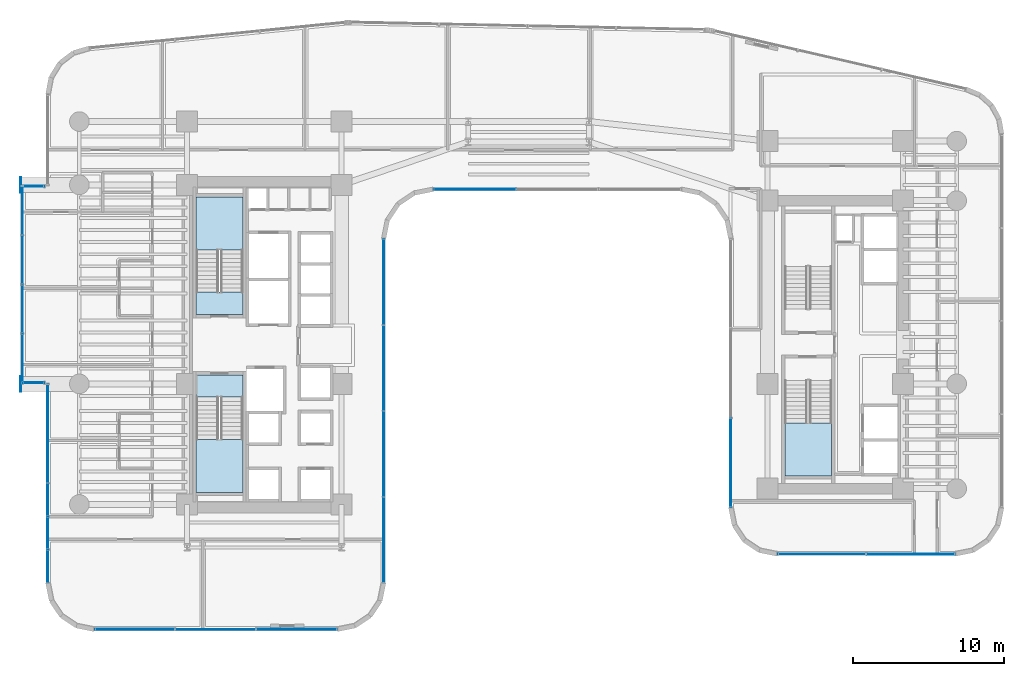
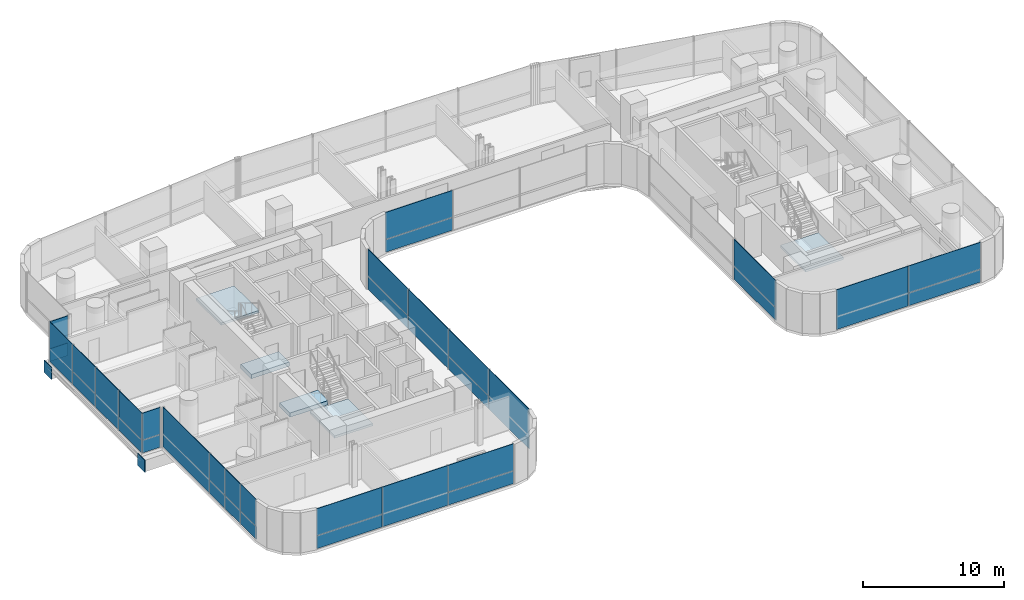
# One storey, part 27 of 39: 37 plates, 5 slabs, 12 elements without a shape of their own.
"""IFC4 building model written with IfcOpenShell, lengths in metres."""

import ifcopenshell
import ifcopenshell.guid

model = None  # the IFC model being written
_history = None  # IfcOwnerHistory: only IFC2X3 demands one
_inside = {}  # id of a spatial element -> (the spatial element, [elements in it])
_under = {}  # id of a project, library or spatial element -> (it, [spatial elements below it])
_declared = {}  # id of a project -> (the project, [libraries it declares])
_typed = {}  # id of a type object -> (the type object, [elements of that type])
_made_of = {}  # id of a material, layer set ... -> (it, [elements and type objects made of it])


def new_model(schema):
    """Start an empty IFC model of exactly this schema.

    Asked for "IFC4X3", IfcOpenShell would pick the latest addendum, in which some entities
    have other attributes; the version numbers below select the first issue.
    IFC2X3 requires an IfcOwnerHistory on every rooted entity: one is made here for all.
    """
    global model, _history
    if schema == "IFC4X3":
        model = ifcopenshell.file(schema_version=(4, 3, 0, 0))
    else:
        model = ifcopenshell.file(schema=schema)
    _inside.clear()
    _under.clear()
    _declared.clear()
    _typed.clear()
    _made_of.clear()
    _history = None
    if model.schema == "IFC2X3":
        org = make("IfcOrganization", Name="unknown")
        user = make(
            "IfcPersonAndOrganization",
            ThePerson=make("IfcPerson", FamilyName="unknown"),
            TheOrganization=org,
        )
        app = make(
            "IfcApplication",
            ApplicationDeveloper=org,
            Version="unknown",
            ApplicationFullName="unknown",
            ApplicationIdentifier="unknown",
        )
        _history = make(
            "IfcOwnerHistory",
            OwningUser=user,
            OwningApplication=app,
            ChangeAction="ADDED",
            CreationDate=0,
        )
    return model


def make(cls, **values):
    """One entity of the class cls with the attributes given. An attribute that is None is left unset."""
    return model.create_entity(
        cls, **{name: value for name, value in values.items() if value is not None}
    )


def rooted(cls, **values):
    """An entity with a GlobalId (a new one), such as an element, a storey or a relation."""
    return make(cls, GlobalId=ifcopenshell.guid.new(), OwnerHistory=_history, **values)


def si_unit(unit_type, name, prefix=None):
    """IfcSIUnit, for example si_unit("LENGTHUNIT", "METRE", prefix="MILLI")."""
    return make("IfcSIUnit", UnitType=unit_type, Prefix=prefix, Name=name)


def assignment(units):
    """IfcUnitAssignment: the units of a project."""
    return None if units is None else make("IfcUnitAssignment", Units=units)


def point(xyz):
    """IfcCartesianPoint."""
    return None if xyz is None else make("IfcCartesianPoint", Coordinates=xyz)


def direction(xyz):
    """IfcDirection."""
    return None if xyz is None else make("IfcDirection", DirectionRatios=xyz)


def frame(location, z_axis=None, x_axis=None):
    """IfcAxis2Placement3D, a coordinate frame: its origin and axes. An axis left out is left unset."""
    return make(
        "IfcAxis2Placement3D",
        Location=point(location),
        Axis=direction(z_axis),
        RefDirection=direction(x_axis),
    )


def frame_2d(location, x_axis=None):
    """IfcAxis2Placement2D, a coordinate frame in the plane: its origin and x axis."""
    return make(
        "IfcAxis2Placement2D", Location=point(location), RefDirection=direction(x_axis)
    )


def origin():
    """The frame at (0, 0, 0) with its axes left unset."""
    return frame((0.0, 0.0, 0.0))


def origin_2d():
    """The frame at (0, 0) in the plane with its x axis left unset."""
    return frame_2d((0.0, 0.0))


def place(relative_to, where):
    """IfcLocalPlacement: puts the frame where relative to a parent placement (None: the world)."""
    return make(
        "IfcLocalPlacement", PlacementRelTo=relative_to, RelativePlacement=where
    )


def context(
    kind, dimensions, precision=None, world=None, true_north=None, identifier=None
):
    """IfcGeometricRepresentationContext, for example the 3D "Model" context."""
    return make(
        "IfcGeometricRepresentationContext",
        ContextIdentifier=identifier,
        ContextType=kind,
        CoordinateSpaceDimension=dimensions,
        Precision=precision,
        WorldCoordinateSystem=world,
        TrueNorth=true_north,
    )


def subcontext(parent, identifier, kind, view, scale=None):
    """IfcGeometricRepresentationSubContext, for example "Body" below "Model"."""
    return make(
        "IfcGeometricRepresentationSubContext",
        ContextIdentifier=identifier,
        ContextType=kind,
        ParentContext=parent,
        TargetScale=scale,
        TargetView=view,
    )


def project(units=None, contexts=None):
    """IfcProject with its units and contexts."""
    return rooted(
        "IfcProject",
        Name="project",
        RepresentationContexts=contexts,
        UnitsInContext=assignment(units),
    )


def spatial(cls, under=None, at=None, **own):
    """A site, building, storey or space (cls), placed at a placement, below another one or the project."""
    s = rooted(cls, ObjectPlacement=at, **own)
    if under is not None:
        _under.setdefault(under.id(), (under, []))[1].append(s)
    return s


def polyline(points):
    """IfcPolyline through the points."""
    return make("IfcPolyline", Points=[point(p) for p in points])


def profile(cls, at=None, kind="AREA", **sizes):
    """A parametric profile (cls). Its sizes go by their IFC names, for example OverallWidth=200.0."""
    return make(cls, ProfileType=kind, Position=at, **sizes)


def rectangle(**sizes):
    """IfcRectangleProfileDef."""
    return profile("IfcRectangleProfileDef", **sizes)


def outline(outer, holes=None, kind="AREA"):
    """IfcArbitraryClosedProfileDef: a profile drawn as a closed curve; with holes, ...WithVoids."""
    if holes is None:
        return make("IfcArbitraryClosedProfileDef", ProfileType=kind, OuterCurve=outer)
    return make(
        "IfcArbitraryProfileDefWithVoids",
        ProfileType=kind,
        OuterCurve=outer,
        InnerCurves=holes,
    )


def extrude(swept, where, along, depth):
    """IfcExtrudedAreaSolid: the profile swept, set in the frame where, extruded along a direction by depth."""
    return make(
        "IfcExtrudedAreaSolid",
        SweptArea=swept,
        Position=where,
        ExtrudedDirection=direction(along),
        Depth=depth,
    )


def shape(context_of_items, identifier, shape_type, items):
    """IfcShapeRepresentation: the items that make up one representation, for example the "Body"."""
    return make(
        "IfcShapeRepresentation",
        ContextOfItems=context_of_items,
        RepresentationIdentifier=identifier,
        RepresentationType=shape_type,
        Items=items,
    )


def source(mapping_origin, context_of_items, identifier, shape_type, items):
    """IfcRepresentationMap: a shape defined once, which mapped items show again and again."""
    return make(
        "IfcRepresentationMap",
        MappingOrigin=mapping_origin,
        MappedRepresentation=shape(context_of_items, identifier, shape_type, items),
    )


def transform(
    local_origin,
    x_axis=None,
    y_axis=None,
    z_axis=None,
    scale=None,
    scale2=None,
    scale3=None,
    uniform=True,
):
    """IfcCartesianTransformationOperator3D, or its non-uniform kind. x_axis, y_axis, z_axis: its Axis1, 2, 3."""
    if uniform:
        return make(
            "IfcCartesianTransformationOperator3D",
            Axis1=direction(x_axis),
            Axis2=direction(y_axis),
            LocalOrigin=point(local_origin),
            Scale=scale,
            Axis3=direction(z_axis),
        )
    return make(
        "IfcCartesianTransformationOperator3DnonUniform",
        Axis1=direction(x_axis),
        Axis2=direction(y_axis),
        LocalOrigin=point(local_origin),
        Scale=scale,
        Axis3=direction(z_axis),
        Scale2=scale2,
        Scale3=scale3,
    )


def mapped(mapping_source, mapping_target):
    """IfcMappedItem: shows the shape of a source again, moved by a transform."""
    return make(
        "IfcMappedItem", MappingSource=mapping_source, MappingTarget=mapping_target
    )


def material(Name=None, Category=None):
    """IfcMaterial."""
    return make("IfcMaterial", Name=Name, Category=Category)


def layer(
    of_material, thickness, ventilated=None, Name=None, Category=None, Priority=None
):
    """IfcMaterialLayer: one layer of a wall or slab, of a material (None: an air gap)."""
    return make(
        "IfcMaterialLayer",
        Material=of_material,
        LayerThickness=thickness,
        IsVentilated=ventilated,
        Name=Name,
        Category=Category,
        Priority=Priority,
    )


def layer_set(layers, Name=None):
    """IfcMaterialLayerSet."""
    return make("IfcMaterialLayerSet", MaterialLayers=layers, LayerSetName=Name)


def made_of(thing, what):
    """Note that an element or type object is made of a material, layer set ...; save() writes the relation."""
    if what is not None:
        _made_of.setdefault(what.id(), (what, []))[1].append(thing)
    return thing


def type_object(cls, material=None, **own):
    """A type object (cls), such as IfcWallType, which elements share."""
    return made_of(rooted(cls, **own), material)


def element(
    cls,
    number,
    at=None,
    inside=None,
    cuts=None,
    type_object=None,
    material=None,
    context=None,
    identifier="Body",
    shape_type=None,
    held_by="IfcProductDefinitionShape",
    body=None,
    shapes=None,
    **own,
):
    """One element of the class cls, such as IfcWall. Its Tag is "e" and its number.

    at: its placement. inside: the storey or other place that contains it. cuts: it is an
    opening in that element (IfcRelVoidsElement). A single representation is given by context,
    identifier, shape_type and body (its items); several are given by shapes. held_by: the class
    of the entity that holds the representations. save() writes the other relations.
    """
    e = rooted(cls, Tag="e%d" % number, ObjectPlacement=at, **own)
    if body is not None:
        shapes = [shape(context, identifier, shape_type, body)]
    if shapes is not None:
        e.Representation = make(held_by, Representations=shapes)
    if inside is not None:
        _inside.setdefault(inside.id(), (inside, []))[1].append(e)
    if cuts is not None:
        rooted(
            "IfcRelVoidsElement", RelatingBuildingElement=cuts, RelatedOpeningElement=e
        )
    if type_object is not None:
        _typed.setdefault(type_object.id(), (type_object, []))[1].append(e)
    return made_of(e, material)


def aggregate(whole, parts):
    """IfcRelAggregates: a whole, such as a stair, and the parts it consists of."""
    return rooted("IfcRelAggregates", RelatingObject=whole, RelatedObjects=parts)


def save(model, path):
    """Write the relations noted so far, then the file.

    IfcRelAggregates (storeys below a building ...), IfcRelContainedInSpatialStructure (elements
    in a storey), IfcRelDefinesByType, IfcRelAssociatesMaterial and IfcRelDeclares: one each for
    every whole, place, type object, material and project.
    """
    for whole, parts in _under.values():
        aggregate(whole, parts)
    for where, things in _inside.values():
        rooted(
            "IfcRelContainedInSpatialStructure",
            RelatedElements=things,
            RelatingStructure=where,
        )
    for kind, things in _typed.values():
        rooted("IfcRelDefinesByType", RelatedObjects=things, RelatingType=kind)
    for what, things in _made_of.values():
        rooted("IfcRelAssociatesMaterial", RelatedObjects=things, RelatingMaterial=what)
    for by, libraries in _declared.values():
        rooted("IfcRelDeclares", RelatingContext=by, RelatedDefinitions=libraries)
    model.write(path)


model = new_model("IFC4")

# Units and contexts
model_context = context("Model", 3, precision=1e-05, world=origin(), true_north=direction((0.0, 1.0)))
body_context = subcontext(model_context, "Body", "Model", "MODEL_VIEW")
ifc_project = project(units=[si_unit("LENGTHUNIT", "METRE"), si_unit("AREAUNIT", "SQUARE_METRE"), si_unit("VOLUMEUNIT", "CUBIC_METRE"), si_unit("PLANEANGLEUNIT", "RADIAN"), si_unit("MASSUNIT", "GRAM", prefix="KILO")], contexts=[model_context])

# Site, building, storey
site_placement = place(None, origin())
site = spatial("IfcSite", under=ifc_project, at=site_placement, CompositionType="ELEMENT")
building_placement = place(site_placement, origin())
building = spatial("IfcBuilding", under=site, at=building_placement, Name="Valdorenza Pilgrim Sanctuary Tower", CompositionType="ELEMENT")
storey_placement = place(building_placement, frame((0.0, 0.0, 77.800048828125)))
storey = spatial("IfcBuildingStorey", under=building, at=storey_placement, Name="L19", CompositionType="ELEMENT", Elevation=77.800048828125)

# Stair, slab
ifc_material_1 = material(Name="Concrete C40/50", Category="concrete")
stair_type = type_object("IfcStairType", Name="STR-DOG-CORE", PredefinedType="HALF_TURN_STAIR", material=ifc_material_1)
stair_1_placement = place(storey_placement, origin())
stair_1 = element("IfcStair", 1, at=stair_1_placement, inside=storey, type_object=stair_type, Name="L19 ST-A1", PredefinedType="HALF_TURN_STAIR")
ifc_layer_1 = layer(ifc_material_1, 0.199951171875, Name="Concrete C40/50")
ifc_layer_set_1 = layer_set([ifc_layer_1], Name="Concrete C40/50")
slab_type_1 = type_object("IfcSlabType", Name="SLAB-STL-200", PredefinedType="LANDING", material=ifc_layer_set_1)
slab_1_placement = place(storey_placement, frame((0.0, 0.0, 1.64990234375)))
slab_1 = element("IfcSlab", 2, at=slab_1_placement, type_object=slab_type_1, Name="ST-A1 landing 1", PredefinedType="LANDING", context=body_context, shape_type="SweptSolid", body=[
    extrude(outline(polyline([(-18.93994140625, 6.280029296875), (-18.93994140625, 9.800048828125), (-22.050048828125, 9.800048828125), (-22.050048828125, 6.280029296875), (-18.93994140625, 6.280029296875)])), origin(), (0.0, 0.0, 1.0), 0.199951171875),
])
aggregate(stair_1, [slab_1])

stair_2_placement = place(storey_placement, origin())
stair_2 = element("IfcStair", 3, at=stair_2_placement, inside=storey, type_object=stair_type, Name="L19 ST-A2", PredefinedType="HALF_TURN_STAIR")
slab_2_placement = place(storey_placement, frame((0.0, 0.0, 1.64990234375)))
slab_2 = element("IfcSlab", 4, at=slab_2_placement, type_object=slab_type_1, Name="ST-A2 landing 1", PredefinedType="LANDING", context=body_context, shape_type="SweptSolid", body=[
    extrude(outline(polyline([(-22.050048828125, -6.280029296875), (-22.050048828125, -9.800048828125), (-18.93994140625, -9.800048828125), (-18.93994140625, -6.280029296875), (-22.050048828125, -6.280029296875)])), origin(), (0.0, 0.0, 1.0), 0.199951171875),
])
aggregate(stair_2, [slab_2])

stair_3_placement = place(storey_placement, origin())
stair_3 = element("IfcStair", 5, at=stair_3_placement, inside=storey, type_object=stair_type, Name="L19 ST-B2", PredefinedType="HALF_TURN_STAIR")
slab_3_placement = place(storey_placement, frame((0.0, 0.0, 1.64990234375)))
slab_3 = element("IfcSlab", 6, at=slab_3_placement, type_object=slab_type_1, Name="ST-B2 landing 1", PredefinedType="LANDING", context=body_context, shape_type="SweptSolid", body=[
    extrude(outline(polyline([(17.0, -5.179931640625), (17.0, -8.699951171875), (20.110107421875, -8.699951171875), (20.110107421875, -5.179931640625), (17.0, -5.179931640625)])), origin(), (0.0, 0.0, 1.0), 0.199951171875),
])
aggregate(stair_3, [slab_3])

# Slabs
ifc_material_2 = material(Name="Concrete C50/60", Category="concrete")
ifc_layer_2 = layer(ifc_material_2, 0.39990234375, Name="Concrete C50/60")
ifc_layer_set_2 = layer_set([ifc_layer_2], Name="Concrete C50/60")
slab_type_2 = type_object("IfcSlabType", Name="SLAB-TRF-400", PredefinedType="FLOOR", material=ifc_layer_set_2)
slab_4_placement = place(storey_placement, frame((0.0, 0.0, -0.360107421875)))
element("IfcSlab", 7, at=slab_4_placement, inside=storey, type_object=slab_type_2, Name="L19 ST-A1 Structural Stair Landing Bearing Slab", PredefinedType="FLOOR", context=body_context, shape_type="SweptSolid", body=[
    extrude(outline(polyline([(-22.050048828125, 2.0), (-18.93994140625, 2.0), (-18.93994140625, 3.485107421875), (-22.050048828125, 3.485107421875), (-22.050048828125, 2.0)])), origin(), (0.0, 0.0, 1.0), 0.360107421875),
])
slab_5_placement = place(storey_placement, frame((0.0, 0.0, -0.360107421875)))
element("IfcSlab", 8, at=slab_5_placement, inside=storey, type_object=slab_type_2, Name="L19 ST-A2 Structural Stair Landing Bearing Slab", PredefinedType="FLOOR", context=body_context, shape_type="SweptSolid", body=[
    extrude(outline(polyline([(-22.050048828125, -3.485107421875), (-18.93994140625, -3.485107421875), (-18.93994140625, -2.0), (-22.050048828125, -2.0), (-22.050048828125, -3.485107421875)])), origin(), (0.0, 0.0, 1.0), 0.360107421875),
])

# Plates
ifc_material_3 = material(Name="Steel ASTM A572 Grade 42", Category="steel")
ifc_layer_3 = layer(ifc_material_3, 0.06005859375, Name="Steel ASTM A572 Grade 42")
ifc_layer_set_3 = layer_set([ifc_layer_3], Name="Steel ASTM A572 Grade 42")
plate_type_1 = type_object("IfcPlateType", Name="PLT-CAP-60", PredefinedType="SHEET", material=ifc_layer_set_3)
shared_shape_1 = source(origin(), body_context, "Body", "SweptSolid", [
    extrude(rectangle(XDim=0.06005859375, YDim=1.0400390625, at=origin_2d()), origin(), (0.0, 0.0, 1.0), 1.0400390625),
])
for number, where, z_axis, x_axis, name in (
    (9, (-33.679931640625, 10.60009765625, -1.260009765625), (0.0, 0.0, 1.0), (1.0, 0.0, 0.0), "L19 BOX-WA-L19 Cantilever Tip End Cap N"),
    (10, (-33.679931640625, -2.60009765625, -1.260009765625), (0.0, 0.0, 1.0), (1.0, 0.0, 0.0), "L19 BOX-WA-L19 Cantilever Tip End Cap S"),
):
    element("IfcPlate", number, at=place(storey_placement, frame(where, z_axis=z_axis, x_axis=x_axis)), inside=storey, type_object=plate_type_1, Name=name, PredefinedType="SHEET", context=body_context, shape_type="MappedRepresentation", body=[
        mapped(shared_shape_1, transform((0.0, 0.0, 0.0), x_axis=(1.0, 0.0, 0.0), y_axis=(0.0, 1.0, 0.0), z_axis=(0.0, 0.0, 1.0), scale=1.0)),
    ])

# Curtain wall, plates
ifc_material_4 = material(Name="Curtain-wall IGU glazing", Category="glass")
curtain_wall_type_1 = type_object("IfcCurtainWallType", Name="CW-SYS-03", PredefinedType="NOTDEFINED", material=ifc_material_4)
curtain_wall_1_placement = place(storey_placement, origin())
curtain_wall_1 = element("IfcCurtainWall", 11, at=curtain_wall_1_placement, inside=storey, type_object=curtain_wall_type_1, Name="L19 Curtain Wall CW-L19-1-26", PredefinedType="NOTDEFINED")
ifc_material_5 = material(Name="Honed travertine limestone", Category="masonry")
ifc_layer_4 = layer(ifc_material_5, 0.050048828125, Name="Honed travertine limestone")
ifc_layer_set_4 = layer_set([ifc_layer_4], Name="Honed travertine limestone")
plate_type_2 = type_object("IfcPlateType", Name="CW-SPN-TRV", PredefinedType="USERDEFINED", material=ifc_layer_set_4)
shared_shape_2 = source(origin(), body_context, "Body", "SweptSolid", [
    extrude(rectangle(XDim=5.869140625, YDim=0.06005859375, at=origin_2d()), origin(), (0.0, 0.0, 1.0), 1.10009765625),
])
plate_1_placement = place(storey_placement, frame((25.344482421875, -13.889892578125, 0.010009765625), z_axis=(0.0, 0.0, 1.0), x_axis=(-1.0, 0.0, 0.0)))
plate_1 = element("IfcPlate", 12, at=plate_1_placement, type_object=plate_type_2, Name="CW-L19-1-26 Travertine Spandrel 1", ObjectType="SPANDREL", PredefinedType="USERDEFINED", context=body_context, shape_type="MappedRepresentation", body=[
    mapped(shared_shape_2, transform((0.0, 0.0, 0.0), x_axis=(1.0, 0.0, 0.0), y_axis=(0.0, 1.0, 0.0), z_axis=(0.0, 0.0, 1.0), scale=1.0)),
])
ifc_material_6 = material(Name="Ceramic-fritted low-E IGU glazing", Category="glass")
ifc_layer_5 = layer(ifc_material_6, 0.035888671875, Name="Ceramic-fritted low-E IGU glazing")
ifc_layer_set_5 = layer_set([ifc_layer_5], Name="Ceramic-fritted low-E IGU glazing")
plate_type_3 = type_object("IfcPlateType", Name="CW-GLZ-IGU", PredefinedType="USERDEFINED", material=ifc_layer_set_5)
shared_shape_3 = source(origin(), body_context, "Body", "SweptSolid", [
    extrude(rectangle(XDim=5.869140625, YDim=0.050048828125, at=origin_2d()), origin(), (0.0, 0.0, 1.0), 2.320068359375),
])
plate_2_placement = place(storey_placement, frame((25.344482421875, -13.889892578125, 1.1298828125), z_axis=(0.0, 0.0, 1.0), x_axis=(-1.0, 0.0, 0.0)))
plate_2 = element("IfcPlate", 13, at=plate_2_placement, type_object=plate_type_3, Name="CW-L19-1-26 Facade Panel 1", ObjectType="GLAZING", PredefinedType="USERDEFINED", context=body_context, shape_type="MappedRepresentation", body=[
    mapped(shared_shape_3, transform((0.0, 0.0, 0.0), x_axis=(1.0, 0.0, 0.0), y_axis=(0.0, 1.0, 0.0), z_axis=(0.0, 0.0, 1.0), scale=1.0)),
])
shared_shape_4 = source(origin(), body_context, "Body", "SweptSolid", [
    extrude(rectangle(XDim=5.869140625, YDim=0.050048828125, at=origin_2d()), origin(), (0.0, 0.0, 1.0), 3.43994140625),
])
plate_3_placement = place(storey_placement, frame((19.455322265625, -13.889892578125, 0.010009765625), z_axis=(0.0, 0.0, 1.0), x_axis=(-1.0, 0.0, 0.0)))
plate_3 = element("IfcPlate", 14, at=plate_3_placement, type_object=plate_type_3, Name="CW-L19-1-26 Full-Height Facade Panel 2", ObjectType="GLAZING", PredefinedType="USERDEFINED", context=body_context, shape_type="MappedRepresentation", body=[
    mapped(shared_shape_4, transform((0.0, 0.0, 0.0), x_axis=(1.0, 0.0, 0.0), y_axis=(0.0, 1.0, 0.0), z_axis=(0.0, 0.0, 1.0), scale=1.0)),
])
aggregate(curtain_wall_1, [plate_1, plate_2, plate_3])

curtain_wall_2_placement = place(storey_placement, origin())
curtain_wall_2 = element("IfcCurtainWall", 15, at=curtain_wall_2_placement, inside=storey, type_object=curtain_wall_type_1, Name="L19 Curtain Wall CW-L19-1-31", PredefinedType="NOTDEFINED")
shared_shape_5 = source(origin(), body_context, "Body", "SweptSolid", [
    extrude(rectangle(XDim=5.913330078125, YDim=0.06005859375, at=origin_2d()), origin(), (0.0, 0.0, 1.0), 1.10009765625),
])
plate_4_placement = place(storey_placement, frame((13.409912109375, -7.822509765625, 0.010009765625), z_axis=(0.0, 0.0, 1.0), x_axis=(0.0, 1.0, 0.0)))
plate_4 = element("IfcPlate", 16, at=plate_4_placement, type_object=plate_type_2, Name="CW-L19-1-31 Travertine Spandrel 1", ObjectType="SPANDREL", PredefinedType="USERDEFINED", context=body_context, shape_type="MappedRepresentation", body=[
    mapped(shared_shape_5, transform((0.0, 0.0, 0.0), x_axis=(1.0, 0.0, 0.0), y_axis=(0.0, 1.0, 0.0), z_axis=(0.0, 0.0, 1.0), scale=1.0)),
])
shared_shape_6 = source(origin(), body_context, "Body", "SweptSolid", [
    extrude(rectangle(XDim=5.913330078125, YDim=0.050048828125, at=origin_2d()), origin(), (0.0, 0.0, 1.0), 2.320068359375),
])
plate_5_placement = place(storey_placement, frame((13.409912109375, -7.822509765625, 1.1298828125), z_axis=(0.0, 0.0, 1.0), x_axis=(0.0, 1.0, 0.0)))
plate_5 = element("IfcPlate", 17, at=plate_5_placement, type_object=plate_type_3, Name="CW-L19-1-31 Facade Panel 1", ObjectType="GLAZING", PredefinedType="USERDEFINED", context=body_context, shape_type="MappedRepresentation", body=[
    mapped(shared_shape_6, transform((0.0, 0.0, 0.0), x_axis=(1.0, 0.0, 0.0), y_axis=(0.0, 1.0, 0.0), z_axis=(0.0, 0.0, 1.0), scale=1.0)),
])
aggregate(curtain_wall_2, [plate_4, plate_5])

curtain_wall_type_2 = type_object("IfcCurtainWallType", Name="CW-SYS-02", PredefinedType="NOTDEFINED", material=ifc_material_4)
curtain_wall_3_placement = place(storey_placement, origin())
curtain_wall_3 = element("IfcCurtainWall", 18, at=curtain_wall_3_placement, inside=storey, type_object=curtain_wall_type_2, Name="L19 Curtain Wall CW-L19-1-36", PredefinedType="NOTDEFINED")
shared_shape_7 = source(origin(), body_context, "Body", "SweptSolid", [
    extrude(rectangle(XDim=5.453857421875, YDim=0.06005859375, at=origin_2d()), origin(), (0.0, 0.0, 1.0), 1.10009765625),
])
plate_6_placement = place(storey_placement, frame((-3.573974609375, 10.31005859375, 0.010009765625), z_axis=(0.0, 0.0, 1.0), x_axis=(-1.0, 0.0, 0.0)))
plate_6 = element("IfcPlate", 19, at=plate_6_placement, type_object=plate_type_2, Name="CW-L19-1-36 Travertine Spandrel 3", ObjectType="SPANDREL", PredefinedType="USERDEFINED", context=body_context, shape_type="MappedRepresentation", body=[
    mapped(shared_shape_7, transform((0.0, 0.0, 0.0), x_axis=(1.0, 0.0, 0.0), y_axis=(0.0, 1.0, 0.0), z_axis=(0.0, 0.0, 1.0), scale=1.0)),
])
shared_shape_8 = source(origin(), body_context, "Body", "SweptSolid", [
    extrude(rectangle(XDim=5.453857421875, YDim=0.050048828125, at=origin_2d()), origin(), (0.0, 0.0, 1.0), 2.320068359375),
])
plate_7_placement = place(storey_placement, frame((-3.573974609375, 10.31005859375, 1.1298828125), z_axis=(0.0, 0.0, 1.0), x_axis=(-1.0, 0.0, 0.0)))
plate_7 = element("IfcPlate", 20, at=plate_7_placement, type_object=plate_type_3, Name="CW-L19-1-36 Facade Panel 3", ObjectType="GLAZING", PredefinedType="USERDEFINED", context=body_context, shape_type="MappedRepresentation", body=[
    mapped(shared_shape_8, transform((0.0, 0.0, 0.0), x_axis=(1.0, 0.0, 0.0), y_axis=(0.0, 1.0, 0.0), z_axis=(0.0, 0.0, 1.0), scale=1.0)),
])
aggregate(curtain_wall_3, [plate_6, plate_7])

curtain_wall_4_placement = place(storey_placement, origin())
curtain_wall_4 = element("IfcCurtainWall", 21, at=curtain_wall_4_placement, inside=storey, type_object=curtain_wall_type_2, Name="L19 Curtain Wall CW-L19-1-41", PredefinedType="NOTDEFINED")
shared_shape_9 = source(origin(), body_context, "Body", "SweptSolid", [
    extrude(rectangle(XDim=5.679931640625, YDim=0.06005859375, at=origin_2d()), origin(), (0.0, 0.0, 1.0), 1.10009765625),
])
plate_8_placement = place(storey_placement, frame((-9.610107421875, 4.160888671875, 0.010009765625), z_axis=(0.0, 0.0, 1.0), x_axis=(0.0, -1.0, 0.0)))
plate_8 = element("IfcPlate", 22, at=plate_8_placement, type_object=plate_type_2, Name="CW-L19-1-41 Travertine Spandrel 1", ObjectType="SPANDREL", PredefinedType="USERDEFINED", context=body_context, shape_type="MappedRepresentation", body=[
    mapped(shared_shape_9, transform((0.0, 0.0, 0.0), x_axis=(1.0, 0.0, 0.0), y_axis=(0.0, 1.0, 0.0), z_axis=(0.0, 0.0, 1.0), scale=1.0)),
])
plate_9_placement = place(storey_placement, frame((-9.610107421875, -7.2392578125, 0.010009765625), z_axis=(0.0, 0.0, 1.0), x_axis=(0.0, -1.0, 0.0)))
plate_9 = element("IfcPlate", 23, at=plate_9_placement, type_object=plate_type_2, Name="CW-L19-1-41 Travertine Spandrel 3", ObjectType="SPANDREL", PredefinedType="USERDEFINED", context=body_context, shape_type="MappedRepresentation", body=[
    mapped(shared_shape_9, transform((0.0, 0.0, 0.0), x_axis=(1.0, 0.0, 0.0), y_axis=(0.0, 1.0, 0.0), z_axis=(0.0, 0.0, 1.0), scale=1.0)),
])
shared_shape_10 = source(origin(), body_context, "Body", "SweptSolid", [
    extrude(rectangle(XDim=5.679931640625, YDim=0.050048828125, at=origin_2d()), origin(), (0.0, 0.0, 1.0), 2.320068359375),
])
plate_10_placement = place(storey_placement, frame((-9.610107421875, 4.160888671875, 1.1298828125), z_axis=(0.0, 0.0, 1.0), x_axis=(0.0, -1.0, 0.0)))
plate_10 = element("IfcPlate", 24, at=plate_10_placement, type_object=plate_type_3, Name="CW-L19-1-41 Facade Panel 1", ObjectType="GLAZING", PredefinedType="USERDEFINED", context=body_context, shape_type="MappedRepresentation", body=[
    mapped(shared_shape_10, transform((0.0, 0.0, 0.0), x_axis=(1.0, 0.0, 0.0), y_axis=(0.0, 1.0, 0.0), z_axis=(0.0, 0.0, 1.0), scale=1.0)),
])
plate_11_placement = place(storey_placement, frame((-9.610107421875, -7.2392578125, 1.1298828125), z_axis=(0.0, 0.0, 1.0), x_axis=(0.0, -1.0, 0.0)))
plate_11 = element("IfcPlate", 25, at=plate_11_placement, type_object=plate_type_3, Name="CW-L19-1-41 Facade Panel 3", ObjectType="GLAZING", PredefinedType="USERDEFINED", context=body_context, shape_type="MappedRepresentation", body=[
    mapped(shared_shape_10, transform((0.0, 0.0, 0.0), x_axis=(1.0, 0.0, 0.0), y_axis=(0.0, 1.0, 0.0), z_axis=(0.0, 0.0, 1.0), scale=1.0)),
])
shared_shape_11 = source(origin(), body_context, "Body", "SweptSolid", [
    extrude(rectangle(XDim=5.679931640625, YDim=0.050048828125, at=origin_2d()), origin(), (0.0, 0.0, 1.0), 3.43994140625),
])
plate_12_placement = place(storey_placement, frame((-9.610107421875, -1.539306640625, 0.010009765625), z_axis=(0.0, 0.0, 1.0), x_axis=(0.0, -1.0, 0.0)))
plate_12 = element("IfcPlate", 26, at=plate_12_placement, type_object=plate_type_3, Name="CW-L19-1-41 Full-Height Facade Panel 2", ObjectType="GLAZING", PredefinedType="USERDEFINED", context=body_context, shape_type="MappedRepresentation", body=[
    mapped(shared_shape_11, transform((0.0, 0.0, 0.0), x_axis=(1.0, 0.0, 0.0), y_axis=(0.0, 1.0, 0.0), z_axis=(0.0, 0.0, 1.0), scale=1.0)),
])
plate_13_placement = place(storey_placement, frame((-9.610107421875, -12.939208984375, 0.010009765625), z_axis=(0.0, 0.0, 1.0), x_axis=(0.0, -1.0, 0.0)))
plate_13 = element("IfcPlate", 27, at=plate_13_placement, type_object=plate_type_3, Name="CW-L19-1-41 Full-Height Facade Panel 4", ObjectType="GLAZING", PredefinedType="USERDEFINED", context=body_context, shape_type="MappedRepresentation", body=[
    mapped(shared_shape_11, transform((0.0, 0.0, 0.0), x_axis=(1.0, 0.0, 0.0), y_axis=(0.0, 1.0, 0.0), z_axis=(0.0, 0.0, 1.0), scale=1.0)),
])
aggregate(curtain_wall_4, [plate_8, plate_10, plate_12, plate_9, plate_11, plate_13])

curtain_wall_5_placement = place(storey_placement, origin())
curtain_wall_5 = element("IfcCurtainWall", 28, at=curtain_wall_5_placement, inside=storey, type_object=curtain_wall_type_2, Name="L19 Curtain Wall CW-L19-1-46", PredefinedType="NOTDEFINED")
shared_shape_12 = source(origin(), body_context, "Body", "SweptSolid", [
    extrude(rectangle(XDim=5.339599609375, YDim=0.06005859375, at=origin_2d()), origin(), (0.0, 0.0, 1.0), 1.10009765625),
])
plate_14_placement = place(storey_placement, frame((-15.390380859375, -18.889892578125, 0.010009765625), z_axis=(0.0, 0.0, 1.0), x_axis=(-1.0, 0.0, 0.0)))
plate_14 = element("IfcPlate", 29, at=plate_14_placement, type_object=plate_type_2, Name="CW-L19-1-46 Travertine Spandrel 1", ObjectType="SPANDREL", PredefinedType="USERDEFINED", context=body_context, shape_type="MappedRepresentation", body=[
    mapped(shared_shape_12, transform((0.0, 0.0, 0.0), x_axis=(1.0, 0.0, 0.0), y_axis=(0.0, 1.0, 0.0), z_axis=(0.0, 0.0, 1.0), scale=1.0)),
])
plate_15_placement = place(storey_placement, frame((-26.109619140625, -18.889892578125, 0.010009765625), z_axis=(0.0, 0.0, 1.0), x_axis=(-1.0, 0.0, 0.0)))
plate_15 = element("IfcPlate", 30, at=plate_15_placement, type_object=plate_type_2, Name="CW-L19-1-46 Travertine Spandrel 3", ObjectType="SPANDREL", PredefinedType="USERDEFINED", context=body_context, shape_type="MappedRepresentation", body=[
    mapped(shared_shape_12, transform((0.0, 0.0, 0.0), x_axis=(1.0, 0.0, 0.0), y_axis=(0.0, 1.0, 0.0), z_axis=(0.0, 0.0, 1.0), scale=1.0)),
])
shared_shape_13 = source(origin(), body_context, "Body", "SweptSolid", [
    extrude(rectangle(XDim=5.339599609375, YDim=0.050048828125, at=origin_2d()), origin(), (0.0, 0.0, 1.0), 2.320068359375),
])
plate_16_placement = place(storey_placement, frame((-15.390380859375, -18.889892578125, 1.1298828125), z_axis=(0.0, 0.0, 1.0), x_axis=(-1.0, 0.0, 0.0)))
plate_16 = element("IfcPlate", 31, at=plate_16_placement, type_object=plate_type_3, Name="CW-L19-1-46 Facade Panel 1", ObjectType="GLAZING", PredefinedType="USERDEFINED", context=body_context, shape_type="MappedRepresentation", body=[
    mapped(shared_shape_13, transform((0.0, 0.0, 0.0), x_axis=(1.0, 0.0, 0.0), y_axis=(0.0, 1.0, 0.0), z_axis=(0.0, 0.0, 1.0), scale=1.0)),
])
plate_17_placement = place(storey_placement, frame((-26.109619140625, -18.889892578125, 1.1298828125), z_axis=(0.0, 0.0, 1.0), x_axis=(-1.0, 0.0, 0.0)))
plate_17 = element("IfcPlate", 32, at=plate_17_placement, type_object=plate_type_3, Name="CW-L19-1-46 Facade Panel 3", ObjectType="GLAZING", PredefinedType="USERDEFINED", context=body_context, shape_type="MappedRepresentation", body=[
    mapped(shared_shape_13, transform((0.0, 0.0, 0.0), x_axis=(1.0, 0.0, 0.0), y_axis=(0.0, 1.0, 0.0), z_axis=(0.0, 0.0, 1.0), scale=1.0)),
])
shared_shape_14 = source(origin(), body_context, "Body", "SweptSolid", [
    extrude(rectangle(XDim=5.339599609375, YDim=0.050048828125, at=origin_2d()), origin(), (0.0, 0.0, 1.0), 3.43994140625),
])
plate_18_placement = place(storey_placement, frame((-20.75, -18.889892578125, 0.010009765625), z_axis=(0.0, 0.0, 1.0), x_axis=(-1.0, 0.0, 0.0)))
plate_18 = element("IfcPlate", 33, at=plate_18_placement, type_object=plate_type_3, Name="CW-L19-1-46 Full-Height Facade Panel 2", ObjectType="GLAZING", PredefinedType="USERDEFINED", context=body_context, shape_type="MappedRepresentation", body=[
    mapped(shared_shape_14, transform((0.0, 0.0, 0.0), x_axis=(1.0, 0.0, 0.0), y_axis=(0.0, 1.0, 0.0), z_axis=(0.0, 0.0, 1.0), scale=1.0)),
])
aggregate(curtain_wall_5, [plate_14, plate_16, plate_18, plate_15, plate_17])

# Curtain wall, plate
curtain_wall_6_placement = place(storey_placement, origin())
curtain_wall_6 = element("IfcCurtainWall", 34, at=curtain_wall_6_placement, inside=storey, type_object=curtain_wall_type_2, Name="L19 Curtain Wall CW-L19-BOX-WA-L19-S", PredefinedType="NOTDEFINED")
shared_shape_15 = source(origin(), body_context, "Body", "SweptSolid", [
    extrude(rectangle(XDim=1.43994140625, YDim=0.06005859375, at=origin_2d()), origin(), (0.0, 0.0, 1.0), 1.10009765625),
])
plate_19_placement = place(storey_placement, frame((-32.840087890625, -2.52001953125, 0.010009765625), z_axis=(0.0, 0.0, 1.0), x_axis=(-1.0, 0.0, 0.0)))
plate_19 = element("IfcPlate", 35, at=plate_19_placement, type_object=plate_type_2, Name="CW-L19-BOX-WA-L19-S Travertine Spandrel 1", ObjectType="SPANDREL", PredefinedType="USERDEFINED", context=body_context, shape_type="MappedRepresentation", body=[
    mapped(shared_shape_15, transform((0.0, 0.0, 0.0), x_axis=(1.0, 0.0, 0.0), y_axis=(0.0, 1.0, 0.0), z_axis=(0.0, 0.0, 1.0), scale=1.0)),
])

curtain_wall_7_placement = place(storey_placement, origin())
curtain_wall_7 = element("IfcCurtainWall", 36, at=curtain_wall_7_placement, inside=storey, type_object=curtain_wall_type_2, Name="L19 Curtain Wall CW-L19-BOX-WA-L19-N", PredefinedType="NOTDEFINED")
plate_20_placement = place(storey_placement, frame((-32.840087890625, 10.52001953125, 0.010009765625), z_axis=(0.0, 0.0, 1.0), x_axis=(1.0, 0.0, 0.0)))
plate_20 = element("IfcPlate", 37, at=plate_20_placement, type_object=plate_type_2, Name="CW-L19-BOX-WA-L19-N Travertine Spandrel 1", ObjectType="SPANDREL", PredefinedType="USERDEFINED", context=body_context, shape_type="MappedRepresentation", body=[
    mapped(shared_shape_15, transform((0.0, 0.0, 0.0), x_axis=(1.0, 0.0, 0.0), y_axis=(0.0, 1.0, 0.0), z_axis=(0.0, 0.0, 1.0), scale=1.0)),
])

# Plate
shared_shape_16 = source(origin(), body_context, "Body", "SweptSolid", [
    extrude(rectangle(XDim=1.43994140625, YDim=0.050048828125, at=origin_2d()), origin(), (0.0, 0.0, 1.0), 2.320068359375),
])
plate_21_placement = place(storey_placement, frame((-32.840087890625, -2.52001953125, 1.1298828125), z_axis=(0.0, 0.0, 1.0), x_axis=(-1.0, 0.0, 0.0)))
plate_21 = element("IfcPlate", 38, at=plate_21_placement, type_object=plate_type_3, Name="CW-L19-BOX-WA-L19-S Facade Panel 1", ObjectType="GLAZING", PredefinedType="USERDEFINED", context=body_context, shape_type="MappedRepresentation", body=[
    mapped(shared_shape_16, transform((0.0, 0.0, 0.0), x_axis=(1.0, 0.0, 0.0), y_axis=(0.0, 1.0, 0.0), z_axis=(0.0, 0.0, 1.0), scale=1.0)),
])

aggregate(curtain_wall_6, [plate_19, plate_21])

plate_22_placement = place(storey_placement, frame((-32.840087890625, 10.52001953125, 1.1298828125), z_axis=(0.0, 0.0, 1.0), x_axis=(1.0, 0.0, 0.0)))
plate_22 = element("IfcPlate", 39, at=plate_22_placement, type_object=plate_type_3, Name="CW-L19-BOX-WA-L19-N Facade Panel 1", ObjectType="GLAZING", PredefinedType="USERDEFINED", context=body_context, shape_type="MappedRepresentation", body=[
    mapped(shared_shape_16, transform((0.0, 0.0, 0.0), x_axis=(1.0, 0.0, 0.0), y_axis=(0.0, 1.0, 0.0), z_axis=(0.0, 0.0, 1.0), scale=1.0)),
])

aggregate(curtain_wall_7, [plate_20, plate_22])

# Curtain wall, plate
curtain_wall_8_placement = place(storey_placement, origin())
curtain_wall_8 = element("IfcCurtainWall", 40, at=curtain_wall_8_placement, inside=storey, type_object=curtain_wall_type_2, Name="L19 Curtain Wall CW-L19-1-1S1", PredefinedType="NOTDEFINED")
shared_shape_17 = source(origin(), body_context, "Body", "SweptSolid", [
    extrude(rectangle(XDim=6.57470703125, YDim=0.050048828125, at=origin_2d()), origin(), (0.0, 0.0, 1.0), 3.43994140625),
])
plate_23_placement = place(storey_placement, frame((-31.889892578125, -5.897216796875, 0.010009765625), z_axis=(0.0, 0.0, 1.0), x_axis=(0.0, 1.0, 0.0)))
plate_23 = element("IfcPlate", 41, at=plate_23_placement, type_object=plate_type_3, Name="CW-L19-1-1S1 Full-Height Facade Panel 2", ObjectType="GLAZING", PredefinedType="USERDEFINED", context=body_context, shape_type="MappedRepresentation", body=[
    mapped(shared_shape_17, transform((0.0, 0.0, 0.0), x_axis=(1.0, 0.0, 0.0), y_axis=(0.0, 1.0, 0.0), z_axis=(0.0, 0.0, 1.0), scale=1.0)),
])

# Curtain wall, plates
curtain_wall_9_placement = place(storey_placement, origin())
curtain_wall_9 = element("IfcCurtainWall", 42, at=curtain_wall_9_placement, inside=storey, type_object=curtain_wall_type_2, Name="L19 Curtain Wall CW-L19-BOX-WA-L19-F", PredefinedType="NOTDEFINED")
shared_shape_18 = source(origin(), body_context, "Body", "SweptSolid", [
    extrude(rectangle(XDim=3.239990234375, YDim=0.06005859375, at=origin_2d()), origin(), (0.0, 0.0, 1.0), 1.10009765625),
])
plate_24_placement = place(storey_placement, frame((-33.570068359375, -0.889892578125, 0.010009765625), z_axis=(0.0, 0.0, 1.0), x_axis=(0.0, 1.0, 0.0)))
plate_24 = element("IfcPlate", 43, at=plate_24_placement, type_object=plate_type_2, Name="CW-L19-BOX-WA-L19-F Travertine Spandrel 1", ObjectType="SPANDREL", PredefinedType="USERDEFINED", context=body_context, shape_type="MappedRepresentation", body=[
    mapped(shared_shape_18, transform((0.0, 0.0, 0.0), x_axis=(1.0, 0.0, 0.0), y_axis=(0.0, 1.0, 0.0), z_axis=(0.0, 0.0, 1.0), scale=1.0)),
])
plate_25_placement = place(storey_placement, frame((-33.570068359375, 5.6298828125, 0.010009765625), z_axis=(0.0, 0.0, 1.0), x_axis=(0.0, 1.0, 0.0)))
plate_25 = element("IfcPlate", 44, at=plate_25_placement, type_object=plate_type_2, Name="CW-L19-BOX-WA-L19-F Travertine Spandrel 3", ObjectType="SPANDREL", PredefinedType="USERDEFINED", context=body_context, shape_type="MappedRepresentation", body=[
    mapped(shared_shape_18, transform((0.0, 0.0, 0.0), x_axis=(1.0, 0.0, 0.0), y_axis=(0.0, 1.0, 0.0), z_axis=(0.0, 0.0, 1.0), scale=1.0)),
])
shared_shape_19 = source(origin(), body_context, "Body", "SweptSolid", [
    extrude(rectangle(XDim=3.239990234375, YDim=0.050048828125, at=origin_2d()), origin(), (0.0, 0.0, 1.0), 2.320068359375),
])
plate_26_placement = place(storey_placement, frame((-33.570068359375, -0.889892578125, 1.1298828125), z_axis=(0.0, 0.0, 1.0), x_axis=(0.0, 1.0, 0.0)))
plate_26 = element("IfcPlate", 45, at=plate_26_placement, type_object=plate_type_3, Name="CW-L19-BOX-WA-L19-F Facade Panel 1", ObjectType="GLAZING", PredefinedType="USERDEFINED", context=body_context, shape_type="MappedRepresentation", body=[
    mapped(shared_shape_19, transform((0.0, 0.0, 0.0), x_axis=(1.0, 0.0, 0.0), y_axis=(0.0, 1.0, 0.0), z_axis=(0.0, 0.0, 1.0), scale=1.0)),
])
plate_27_placement = place(storey_placement, frame((-33.570068359375, 5.6298828125, 1.1298828125), z_axis=(0.0, 0.0, 1.0), x_axis=(0.0, 1.0, 0.0)))
plate_27 = element("IfcPlate", 46, at=plate_27_placement, type_object=plate_type_3, Name="CW-L19-BOX-WA-L19-F Facade Panel 3", ObjectType="GLAZING", PredefinedType="USERDEFINED", context=body_context, shape_type="MappedRepresentation", body=[
    mapped(shared_shape_19, transform((0.0, 0.0, 0.0), x_axis=(1.0, 0.0, 0.0), y_axis=(0.0, 1.0, 0.0), z_axis=(0.0, 0.0, 1.0), scale=1.0)),
])
shared_shape_20 = source(origin(), body_context, "Body", "SweptSolid", [
    extrude(rectangle(XDim=3.239990234375, YDim=0.050048828125, at=origin_2d()), origin(), (0.0, 0.0, 1.0), 3.43994140625),
])
plate_28_placement = place(storey_placement, frame((-33.570068359375, 2.3701171875, 0.010009765625), z_axis=(0.0, 0.0, 1.0), x_axis=(0.0, 1.0, 0.0)))
plate_28 = element("IfcPlate", 47, at=plate_28_placement, type_object=plate_type_3, Name="CW-L19-BOX-WA-L19-F Full-Height Facade Panel 2", ObjectType="GLAZING", PredefinedType="USERDEFINED", context=body_context, shape_type="MappedRepresentation", body=[
    mapped(shared_shape_20, transform((0.0, 0.0, 0.0), x_axis=(1.0, 0.0, 0.0), y_axis=(0.0, 1.0, 0.0), z_axis=(0.0, 0.0, 1.0), scale=1.0)),
])
plate_29_placement = place(storey_placement, frame((-33.570068359375, 8.889892578125, 0.010009765625), z_axis=(0.0, 0.0, 1.0), x_axis=(0.0, 1.0, 0.0)))
plate_29 = element("IfcPlate", 48, at=plate_29_placement, type_object=plate_type_3, Name="CW-L19-BOX-WA-L19-F Full-Height Facade Panel 4", ObjectType="GLAZING", PredefinedType="USERDEFINED", context=body_context, shape_type="MappedRepresentation", body=[
    mapped(shared_shape_20, transform((0.0, 0.0, 0.0), x_axis=(1.0, 0.0, 0.0), y_axis=(0.0, 1.0, 0.0), z_axis=(0.0, 0.0, 1.0), scale=1.0)),
])
aggregate(curtain_wall_9, [plate_24, plate_26, plate_28, plate_25, plate_27, plate_29])

# Plate
shared_shape_21 = source(origin(), body_context, "Body", "SweptSolid", [
    extrude(rectangle(XDim=2.17138671875, YDim=0.050048828125, at=origin_2d()), origin(), (0.0, 0.0, 1.0), 2.320068359375),
])
plate_30_placement = place(storey_placement, frame((-31.889892578125, -14.683349609375, 1.1298828125), z_axis=(0.0, 0.0, 1.0), x_axis=(0.0, 1.0, 0.0)))
plate_30 = element("IfcPlate", 49, at=plate_30_placement, type_object=plate_type_3, Name="CW-L19-1-1S1 Facade Panel 1 Sub 1", ObjectType="GLAZING", PredefinedType="USERDEFINED", context=body_context, shape_type="MappedRepresentation", body=[
    mapped(shared_shape_21, transform((0.0, 0.0, 0.0), x_axis=(1.0, 0.0, 0.0), y_axis=(0.0, 1.0, 0.0), z_axis=(0.0, 0.0, 1.0), scale=1.0)),
])

plate_31_placement = place(storey_placement, frame((-31.889892578125, -12.491943359375, 1.1298828125), z_axis=(0.0, 0.0, 1.0), x_axis=(0.0, 1.0, 0.0)))
plate_31 = element("IfcPlate", 50, at=plate_31_placement, type_object=plate_type_3, Name="CW-L19-1-1S1 Facade Panel 1 Sub 2", ObjectType="GLAZING", PredefinedType="USERDEFINED", context=body_context, shape_type="MappedRepresentation", body=[
    mapped(shared_shape_21, transform((0.0, 0.0, 0.0), x_axis=(1.0, 0.0, 0.0), y_axis=(0.0, 1.0, 0.0), z_axis=(0.0, 0.0, 1.0), scale=1.0)),
])

plate_32_placement = place(storey_placement, frame((-31.889892578125, -10.30029296875, 1.1298828125), z_axis=(0.0, 0.0, 1.0), x_axis=(0.0, 1.0, 0.0)))
plate_32 = element("IfcPlate", 51, at=plate_32_placement, type_object=plate_type_3, Name="CW-L19-1-1S1 Facade Panel 1 Sub 3", ObjectType="GLAZING", PredefinedType="USERDEFINED", context=body_context, shape_type="MappedRepresentation", body=[
    mapped(shared_shape_21, transform((0.0, 0.0, 0.0), x_axis=(1.0, 0.0, 0.0), y_axis=(0.0, 1.0, 0.0), z_axis=(0.0, 0.0, 1.0), scale=1.0)),
])

shared_shape_22 = source(origin(), body_context, "Body", "SweptSolid", [
    extrude(rectangle(XDim=2.17138671875, YDim=0.06005859375, at=origin_2d()), origin(), (0.0, 0.0, 1.0), 1.10009765625),
])
plate_33_placement = place(storey_placement, frame((-31.889892578125, -14.683349609375, 0.010009765625), z_axis=(0.0, 0.0, 1.0), x_axis=(0.0, 1.0, 0.0)))
plate_33 = element("IfcPlate", 52, at=plate_33_placement, type_object=plate_type_2, Name="CW-L19-1-1S1 Travertine Spandrel 1 Sub 1", ObjectType="SPANDREL", PredefinedType="USERDEFINED", context=body_context, shape_type="MappedRepresentation", body=[
    mapped(shared_shape_22, transform((0.0, 0.0, 0.0), x_axis=(1.0, 0.0, 0.0), y_axis=(0.0, 1.0, 0.0), z_axis=(0.0, 0.0, 1.0), scale=1.0)),
])

plate_34_placement = place(storey_placement, frame((-31.889892578125, -12.491943359375, 0.010009765625), z_axis=(0.0, 0.0, 1.0), x_axis=(0.0, 1.0, 0.0)))
plate_34 = element("IfcPlate", 53, at=plate_34_placement, type_object=plate_type_2, Name="CW-L19-1-1S1 Travertine Spandrel 1 Sub 2", ObjectType="SPANDREL", PredefinedType="USERDEFINED", context=body_context, shape_type="MappedRepresentation", body=[
    mapped(shared_shape_22, transform((0.0, 0.0, 0.0), x_axis=(1.0, 0.0, 0.0), y_axis=(0.0, 1.0, 0.0), z_axis=(0.0, 0.0, 1.0), scale=1.0)),
])

plate_35_placement = place(storey_placement, frame((-31.889892578125, -10.30029296875, 0.010009765625), z_axis=(0.0, 0.0, 1.0), x_axis=(0.0, 1.0, 0.0)))
plate_35 = element("IfcPlate", 54, at=plate_35_placement, type_object=plate_type_2, Name="CW-L19-1-1S1 Travertine Spandrel 1 Sub 3", ObjectType="SPANDREL", PredefinedType="USERDEFINED", context=body_context, shape_type="MappedRepresentation", body=[
    mapped(shared_shape_22, transform((0.0, 0.0, 0.0), x_axis=(1.0, 0.0, 0.0), y_axis=(0.0, 1.0, 0.0), z_axis=(0.0, 0.0, 1.0), scale=1.0)),
])

aggregate(curtain_wall_8, [plate_23, plate_30, plate_33, plate_31, plate_34, plate_32, plate_35])

save(model, "model.ifc")
